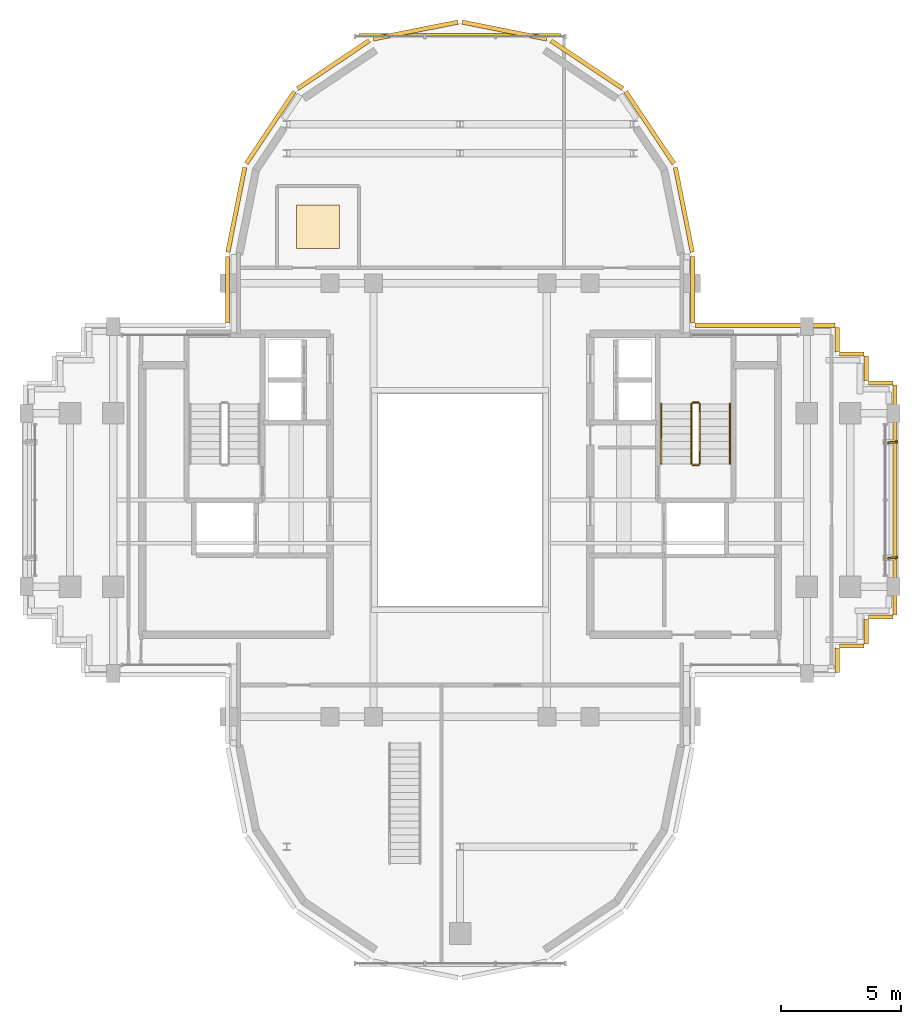
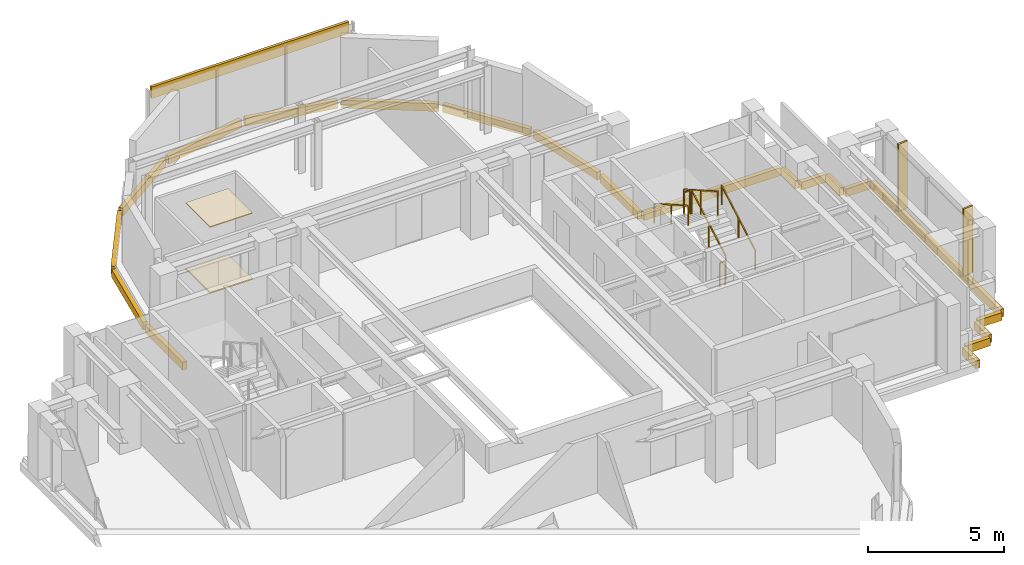
# One storey, part 12 of 12: 23 coverings, 6 railings, 2 shading devices.
"""IFC4 building model written with IfcOpenShell, lengths in metres."""

from ifc_helpers import new_model, si_unit, direction, frame, origin, origin_2d, place, context, subcontext, project, spatial, rectangle, extrude, source, transform, mapped, material, layer, layer_set, type_object, element, save


model = new_model("IFC4")

# Units and contexts
model_context = context("Model", 3, precision=1e-05, world=origin(), true_north=direction((0.0, 1.0)))
body_context = subcontext(model_context, "Body", "Model", "MODEL_VIEW")
ifc_project = project(units=[si_unit("LENGTHUNIT", "METRE"), si_unit("AREAUNIT", "SQUARE_METRE"), si_unit("VOLUMEUNIT", "CUBIC_METRE"), si_unit("PLANEANGLEUNIT", "RADIAN"), si_unit("MASSUNIT", "GRAM", prefix="KILO")], contexts=[model_context])

# Site, building, storey
site_placement = place(None, origin())
site = spatial("IfcSite", under=ifc_project, at=site_placement, CompositionType="ELEMENT")
building_placement = place(site_placement, origin())
building = spatial("IfcBuilding", under=site, at=building_placement, Name="Keilestroom Media Tower", CompositionType="ELEMENT")
storey_placement = place(building_placement, frame((0.0, 0.0, 239.60009765625)))
storey = spatial("IfcBuildingStorey", under=building, at=storey_placement, Name="L66", CompositionType="ELEMENT", Elevation=239.60009765625)

# Railings
ifc_material_1 = material(Name="Brushed Stainless Steel 1.4301", Category="steel")
railing_type_1 = type_object("IfcRailingType", Name="Stair-Pitch-Handrail-920", PredefinedType="HANDRAIL", material=ifc_material_1)
railing_1_placement = place(storey_placement, frame((11.2099609375, 1.5, 0.177734375)))
element("IfcRailing", 1, at=railing_1_placement, inside=storey, type_object=railing_type_1, Name="L66 ST-2 stair handrail 1", PredefinedType="HANDRAIL", context=body_context, shape_type="SweptSolid", body=[
    extrude(rectangle(XDim=0.048095703125, YDim=0.048095703125, at=origin_2d()), frame((0.0, 0.0, 0.8759765625), z_axis=(0.0, 0.868875238982, 0.495031129408), x_axis=(-1.0, 0.0, 0.0)), (0.0, 0.0, 1.0), 2.872802734375),
    extrude(rectangle(XDim=0.0419921875, YDim=0.0419921875, at=origin_2d()), origin(), (0.0, 0.0, 1.0), 0.84375),
    extrude(rectangle(XDim=0.0419921875, YDim=0.0419921875, at=origin_2d()), frame((0.0, 1.248046875, 0.7109375)), (0.0, 0.0, 1.0), 0.84375),
    extrude(rectangle(XDim=0.0419921875, YDim=0.0419921875, at=origin_2d()), frame((0.0, 2.49609375, 1.422119140625)), (0.0, 0.0, 1.0), 0.84375),
])
railing_2_placement = place(storey_placement, frame((8.35009765625, 3.99609375, 1.777587890625)))
element("IfcRailing", 2, at=railing_2_placement, inside=storey, type_object=railing_type_1, Name="L66 ST-2 stair handrail 2", PredefinedType="HANDRAIL", context=body_context, shape_type="SweptSolid", body=[
    extrude(rectangle(XDim=0.048095703125, YDim=0.048095703125, at=origin_2d()), frame((0.0, 0.0, 0.8759765625), z_axis=(0.0, -0.868838684858, 0.495095283449), x_axis=(1.0, 0.0, 0.0)), (0.0, 0.0, 1.0), 2.872802734375),
    extrude(rectangle(XDim=0.0419921875, YDim=0.0419921875, at=origin_2d()), origin(), (0.0, 0.0, 1.0), 0.84375),
    extrude(rectangle(XDim=0.0419921875, YDim=0.0419921875, at=origin_2d()), frame((0.0, -1.248046875, 0.711181640625)), (0.0, 0.0, 1.0), 0.84375),
    extrude(rectangle(XDim=0.0419921875, YDim=0.0419921875, at=origin_2d()), frame((0.0, -2.49609375, 1.42236328125)), (0.0, 0.0, 1.0), 0.84375),
])
ifc_material_2 = material(Name="Painted Steel Balustrade", Category="steel")
railing_type_2 = type_object("IfcRailingType", Name="Stair-Well-And-Landing-Guard-1100", PredefinedType="GUARDRAIL", material=ifc_material_2)
railing_3_placement = place(storey_placement, frame((9.949951171875, 1.5, 0.177734375)))
element("IfcRailing", 3, at=railing_3_placement, inside=storey, type_object=railing_type_2, Name="L66 ST-2 stair guard 1", PredefinedType="GUARDRAIL", context=body_context, shape_type="SweptSolid", body=[
    extrude(rectangle(XDim=0.048095703125, YDim=0.048095703125, at=origin_2d()), frame((0.0, 0.0, 1.076171875), z_axis=(0.0, 0.868875238982, 0.495031129408), x_axis=(-1.0, 0.0, 0.0)), (0.0, 0.0, 1.0), 2.872802734375),
    extrude(rectangle(XDim=0.0419921875, YDim=0.0419921875, at=origin_2d()), origin(), (0.0, 0.0, 1.0), 1.0439453125),
    extrude(rectangle(XDim=0.0419921875, YDim=0.0419921875, at=origin_2d()), frame((0.0, 1.248046875, 0.7109375)), (0.0, 0.0, 1.0), 1.0439453125),
    extrude(rectangle(XDim=0.0419921875, YDim=0.0419921875, at=origin_2d()), frame((0.0, 2.49609375, 1.422119140625)), (0.0, 0.0, 1.0), 1.0439453125),
])
railing_4_placement = place(storey_placement, frame((9.89990234375, 4.0458984375, 1.599853515625)))
element("IfcRailing", 4, at=railing_4_placement, inside=storey, type_object=railing_type_2, Name="L66 ST-2 stair guard 2", PredefinedType="GUARDRAIL", context=body_context, shape_type="SweptSolid", body=[
    extrude(rectangle(XDim=0.048095703125, YDim=0.048095703125, at=origin_2d()), frame((0.0, 0.0, 1.076171875), z_axis=(-1.0, 0.0, 0.0), x_axis=(0.0, -1.0, 0.0)), (0.0, 0.0, 1.0), 0.239990234375),
    extrude(rectangle(XDim=0.0419921875, YDim=0.0419921875, at=origin_2d()), origin(), (0.0, 0.0, 1.0), 1.0439453125),
    extrude(rectangle(XDim=0.0419921875, YDim=0.0419921875, at=origin_2d()), frame((-0.239990234375, 0.0, 0.0)), (0.0, 0.0, 1.0), 1.0439453125),
])
railing_5_placement = place(storey_placement, frame((9.610107421875, 3.99609375, 1.777587890625)))
element("IfcRailing", 5, at=railing_5_placement, inside=storey, type_object=railing_type_2, Name="L66 ST-2 stair guard 3", PredefinedType="GUARDRAIL", context=body_context, shape_type="SweptSolid", body=[
    extrude(rectangle(XDim=0.048095703125, YDim=0.048095703125, at=origin_2d()), frame((0.0, 0.0, 1.076171875), z_axis=(0.0, -0.868838684858, 0.495095283449), x_axis=(1.0, 0.0, 0.0)), (0.0, 0.0, 1.0), 2.872802734375),
    extrude(rectangle(XDim=0.0419921875, YDim=0.0419921875, at=origin_2d()), origin(), (0.0, 0.0, 1.0), 1.0439453125),
    extrude(rectangle(XDim=0.0419921875, YDim=0.0419921875, at=origin_2d()), frame((0.0, -1.248046875, 0.711181640625)), (0.0, 0.0, 1.0), 1.0439453125),
    extrude(rectangle(XDim=0.0419921875, YDim=0.0419921875, at=origin_2d()), frame((0.0, -2.49609375, 1.42236328125)), (0.0, 0.0, 1.0), 1.0439453125),
])
railing_6_placement = place(storey_placement, frame((9.89990234375, 1.449951171875, 0.0)))
element("IfcRailing", 6, at=railing_6_placement, inside=storey, type_object=railing_type_2, Name="L66 ST-2 stair guard 4", PredefinedType="GUARDRAIL", context=body_context, shape_type="SweptSolid", body=[
    extrude(rectangle(XDim=0.048095703125, YDim=0.048095703125, at=origin_2d()), frame((0.0, 0.0, 1.076171875), z_axis=(-1.0, 0.0, 0.0), x_axis=(0.0, -1.0, 0.0)), (0.0, 0.0, 1.0), 0.239990234375),
    extrude(rectangle(XDim=0.0419921875, YDim=0.0419921875, at=origin_2d()), origin(), (0.0, 0.0, 1.0), 1.0439453125),
    extrude(rectangle(XDim=0.0419921875, YDim=0.0419921875, at=origin_2d()), frame((-0.239990234375, 0.0, 0.0)), (0.0, 0.0, 1.0), 1.0439453125),
])

# Covering
ifc_material_3 = material(Name="Precast concrete C40/50", Category="concrete")
ifc_layer_1 = layer(ifc_material_3, 0.1201171875)
ifc_layer_set_1 = layer_set([ifc_layer_1], Name="Precast concrete C40/50")
covering_type_1 = type_object("IfcCoveringType", Name="Exterior-Precast-Spandrel-Cladding-Panel-120", PredefinedType="CLADDING", material=ifc_layer_set_1)
shared_shape_1 = source(origin(), body_context, "Body", "SweptSolid", [
    extrude(rectangle(XDim=8.39990234375, YDim=0.1201171875, at=origin_2d()), origin(), (0.0, 0.0, 1.0), 0.52001953125),
])
covering_1_placement = place(storey_placement, frame((0.0, 19.320068359375, 2.5), z_axis=(0.0, 0.0, 1.0), x_axis=(1.0, 0.0, 0.0)))
element("IfcCovering", 7, at=covering_1_placement, inside=storey, type_object=covering_type_1, Name="L66 Precast Spandrel Cladding N", PredefinedType="CLADDING", context=body_context, shape_type="MappedRepresentation", body=[
    mapped(shared_shape_1, transform((0.0, 0.0, 0.0), x_axis=(1.0, 0.0, 0.0), y_axis=(0.0, 1.0, 0.0), z_axis=(0.0, 0.0, 1.0), scale=1.0)),
])

# Shading devices
ifc_material_4 = material(Name="Bronze Anodised Aluminium", Category="aluminium")
shading_device_type = type_object("IfcShadingDeviceType", Name="Facade-Vertical-Sunshade-Fin-SHD-1", PredefinedType="USERDEFINED", material=ifc_material_4)
shared_shape_2 = source(origin(), body_context, "Body", "SweptSolid", [
    extrude(rectangle(XDim=0.419921875, YDim=0.080078125, at=origin_2d()), origin(), (0.0, 0.0, 1.0), 3.010009765625),
])
for number, where, z_axis, x_axis, name in (
    (8, (17.969970703125, -2.39990234375, 0.0), (0.0, 0.0, 1.0), (0.996194698092, 0.087155742748, 0.0), "L66 Twisting Sunshade Fin SHD-1 103"),
    (9, (17.969970703125, 2.39990234375, 0.0), (0.0, 0.0, 1.0), (0.996194698092, 0.087155742748, 0.0), "L66 Twisting Sunshade Fin SHD-1 104"),
):
    element("IfcShadingDevice", number, at=place(storey_placement, frame(where, z_axis=z_axis, x_axis=x_axis)), inside=storey, type_object=shading_device_type, Name=name, ObjectType="SUNSHADE", PredefinedType="USERDEFINED", context=body_context, shape_type="MappedRepresentation", body=[
        mapped(shared_shape_2, transform((0.0, 0.0, 0.0), x_axis=(1.0, 0.0, 0.0), y_axis=(0.0, 1.0, 0.0), z_axis=(0.0, 0.0, 1.0), scale=1.0)),
    ])

# Coverings
shared_shape_3 = source(origin(), body_context, "Body", "SweptSolid", [
    extrude(rectangle(XDim=1.02001953125, YDim=0.179931640625, at=origin_2d()), origin(), (0.0, 0.0, 1.0), 0.35009765625),
])
for number, where, z_axis, x_axis, name in (
    (10, (17.4599609375, -4.860107421875, -0.530029296875), (0.0, 0.0, 1.0), (-1.0, 0.0, 0.0), "L66 Precast Slab-Edge Fascia Cornice 01"),
    (11, (16.860107421875, -5.4599609375, -0.530029296875), (0.0, 0.0, 1.0), (0.0, -1.0, 0.0), "L66 Precast Slab-Edge Fascia Cornice 02"),
    (12, (16.260009765625, -6.06005859375, -0.530029296875), (0.0, 0.0, 1.0), (-1.0, 0.0, 0.0), "L66 Precast Slab-Edge Fascia Cornice 03"),
    (13, (15.659912109375, -6.659912109375, -0.530029296875), (0.0, 0.0, 1.0), (0.0, -1.0, 0.0), "L66 Precast Slab-Edge Fascia Cornice 04"),
    (14, (15.659912109375, 6.659912109375, -0.530029296875), (0.0, 0.0, 1.0), (0.0, -1.0, 0.0), "L66 Precast Slab-Edge Fascia Cornice 38"),
    (15, (16.260009765625, 6.06005859375, -0.530029296875), (0.0, 0.0, 1.0), (1.0, 0.0, 0.0), "L66 Precast Slab-Edge Fascia Cornice 39"),
    (16, (16.860107421875, 5.4599609375, -0.530029296875), (0.0, 0.0, 1.0), (0.0, -1.0, 0.0), "L66 Precast Slab-Edge Fascia Cornice 40"),
    (17, (17.4599609375, 4.860107421875, -0.530029296875), (0.0, 0.0, 1.0), (1.0, 0.0, 0.0), "L66 Precast Slab-Edge Fascia Cornice 41"),
):
    element("IfcCovering", number, at=place(storey_placement, frame(where, z_axis=z_axis, x_axis=x_axis)), inside=storey, type_object=covering_type_1, Name=name, PredefinedType="CLADDING", context=body_context, shape_type="MappedRepresentation", body=[
        mapped(shared_shape_3, transform((0.0, 0.0, 0.0), x_axis=(1.0, 0.0, 0.0), y_axis=(0.0, 1.0, 0.0), z_axis=(0.0, 0.0, 1.0), scale=1.0)),
    ])
shared_shape_4 = source(origin(), body_context, "Body", "SweptSolid", [
    extrude(rectangle(XDim=5.820068359375, YDim=0.179931640625, at=origin_2d()), origin(), (0.0, 0.0, 1.0), 0.35009765625),
])
covering_2_placement = place(storey_placement, frame((12.659912109375, 7.260009765625, -0.530029296875), z_axis=(0.0, 0.0, 1.0), x_axis=(1.0, 0.0, 0.0)))
element("IfcCovering", 18, at=covering_2_placement, inside=storey, type_object=covering_type_1, Name="L66 Precast Slab-Edge Fascia Cornice 37", PredefinedType="CLADDING", context=body_context, shape_type="MappedRepresentation", body=[
    mapped(shared_shape_4, transform((0.0, 0.0, 0.0), x_axis=(1.0, 0.0, 0.0), y_axis=(0.0, 1.0, 0.0), z_axis=(0.0, 0.0, 1.0), scale=1.0)),
])
shared_shape_5 = source(origin(), body_context, "Body", "SweptSolid", [
    extrude(rectangle(XDim=2.765869140625, YDim=0.179931640625, at=origin_2d()), origin(), (0.0, 0.0, 1.0), 0.35009765625),
])
for number, where, z_axis, x_axis, name in (
    (19, (-9.659912109375, 8.73291015625, -0.530029296875), (0.0, 0.0, 1.0), (0.0, 1.0, 0.0), "L66 Precast Slab-Edge Fascia Cornice 27"),
    (20, (9.659912109375, 8.73291015625, -0.530029296875), (0.0, 0.0, 1.0), (0.0, -1.0, 0.0), "L66 Precast Slab-Edge Fascia Cornice 36"),
):
    element("IfcCovering", number, at=place(storey_placement, frame(where, z_axis=z_axis, x_axis=x_axis)), inside=storey, type_object=covering_type_1, Name=name, PredefinedType="CLADDING", context=body_context, shape_type="MappedRepresentation", body=[
        mapped(shared_shape_5, transform((0.0, 0.0, 0.0), x_axis=(1.0, 0.0, 0.0), y_axis=(0.0, 1.0, 0.0), z_axis=(0.0, 0.0, 1.0), scale=1.0)),
    ])
shared_shape_6 = source(origin(), body_context, "Body", "SweptSolid", [
    extrude(rectangle(XDim=3.58349609375, YDim=0.179931640625, at=origin_2d()), origin(), (0.0, 0.0, 1.0), 0.35009765625),
])
for number, where, z_axis, x_axis, name in (
    (21, (-9.29296875, 12.051513671875, -0.530029296875), (0.0, 0.0, 1.0), (0.195098880975, 0.980783577882, 0.0), "L66 Precast Slab-Edge Fascia Cornice 28"),
    (22, (9.29296875, 12.051513671875, -0.530029296875), (0.0, 0.0, 1.0), (0.195098880975, -0.980783577882, 0.0), "L66 Precast Slab-Edge Fascia Cornice 35"),
):
    element("IfcCovering", number, at=place(storey_placement, frame(where, z_axis=z_axis, x_axis=x_axis)), inside=storey, type_object=covering_type_1, Name=name, PredefinedType="CLADDING", context=body_context, shape_type="MappedRepresentation", body=[
        mapped(shared_shape_6, transform((0.0, 0.0, 0.0), x_axis=(1.0, 0.0, 0.0), y_axis=(0.0, 1.0, 0.0), z_axis=(0.0, 0.0, 1.0), scale=1.0)),
    ])
shared_shape_7 = source(origin(), body_context, "Body", "SweptSolid", [
    extrude(rectangle(XDim=3.589599609375, YDim=0.179931640625, at=origin_2d()), origin(), (0.0, 0.0, 1.0), 0.35009765625),
])
for number, where, z_axis, x_axis, name in (
    (23, (-7.878662109375, 15.46435546875, -0.530029296875), (0.0, 0.0, 1.0), (0.555574586577, 0.831466703332, 0.0), "L66 Precast Slab-Edge Fascia Cornice 29"),
    (24, (-5.264404296875, 18.07861328125, -0.530029296875), (0.0, 0.0, 1.0), (0.831466703332, 0.555574586577, 0.0), "L66 Precast Slab-Edge Fascia Cornice 30"),
    (25, (-1.8486328125, 19.493408203125, -0.530029296875), (0.0, 0.0, 1.0), (0.980783577882, 0.195098880975, 0.0), "L66 Precast Slab-Edge Fascia Cornice 31"),
    (26, (1.8486328125, 19.493408203125, -0.530029296875), (0.0, 0.0, 1.0), (0.980783577882, -0.195098880975, 0.0), "L66 Precast Slab-Edge Fascia Cornice 32"),
    (27, (5.264404296875, 18.07861328125, -0.530029296875), (0.0, 0.0, 1.0), (0.831466703332, -0.555574586577, 0.0), "L66 Precast Slab-Edge Fascia Cornice 33"),
    (28, (7.878662109375, 15.46435546875, -0.530029296875), (0.0, 0.0, 1.0), (0.555574586577, -0.831466703332, 0.0), "L66 Precast Slab-Edge Fascia Cornice 34"),
):
    element("IfcCovering", number, at=place(storey_placement, frame(where, z_axis=z_axis, x_axis=x_axis)), inside=storey, type_object=covering_type_1, Name=name, PredefinedType="CLADDING", context=body_context, shape_type="MappedRepresentation", body=[
        mapped(shared_shape_7, transform((0.0, 0.0, 0.0), x_axis=(1.0, 0.0, 0.0), y_axis=(0.0, 1.0, 0.0), z_axis=(0.0, 0.0, 1.0), scale=1.0)),
    ])
shared_shape_8 = source(origin(), body_context, "Body", "SweptSolid", [
    extrude(rectangle(XDim=9.5400390625, YDim=0.179931640625, at=origin_2d()), origin(), (0.0, 0.0, 1.0), 0.35009765625),
])
covering_3_placement = place(storey_placement, frame((18.06005859375, 0.0, -0.530029296875), z_axis=(0.0, 0.0, 1.0), x_axis=(0.0, -1.0, 0.0)))
element("IfcCovering", 29, at=covering_3_placement, inside=storey, type_object=covering_type_1, Name="L66 Precast Slab-Edge Fascia Cornice 42", PredefinedType="CLADDING", context=body_context, shape_type="MappedRepresentation", body=[
    mapped(shared_shape_8, transform((0.0, 0.0, 0.0), x_axis=(1.0, 0.0, 0.0), y_axis=(0.0, 1.0, 0.0), z_axis=(0.0, 0.0, 1.0), scale=1.0)),
])
ifc_material_5 = material(Name="Mineral-Fibre Acoustic Ceiling Tile", Category="gypsum")
ifc_layer_2 = layer(ifc_material_5, 0.0400390625)
ifc_layer_set_2 = layer_set([ifc_layer_2], Name="Mineral-Fibre Acoustic Ceiling Tile")
covering_type_2 = type_object("IfcCoveringType", Name="Suspended-Acoustic-Ceiling-40", PredefinedType="CEILING", material=ifc_layer_set_2)
shared_shape_9 = source(origin(), body_context, "Body", "SweptSolid", [
    extrude(rectangle(XDim=1.800048828125, YDim=1.800048828125, at=origin_2d()), origin(), (0.0, 0.0, 1.0), 0.0400390625),
])
covering_4_placement = place(storey_placement, frame((-5.89990234375, 11.340087890625, 2.969970703125), z_axis=(0.0, 0.0, 1.0), x_axis=(1.0, 0.0, 0.0)))
element("IfcCovering", 30, at=covering_4_placement, inside=storey, type_object=covering_type_2, Name="L66 Suspended Acoustic Ceiling 1", PredefinedType="CEILING", context=body_context, shape_type="MappedRepresentation", body=[
    mapped(shared_shape_9, transform((0.0, 0.0, 0.0), x_axis=(1.0, 0.0, 0.0), y_axis=(0.0, 1.0, 0.0), z_axis=(0.0, 0.0, 1.0), scale=1.0)),
])
ifc_material_6 = material(Name="Calcium-Sulphate Raised Access Floor", Category="concrete")
ifc_layer_3 = layer(ifc_material_6, 0.06005859375)
ifc_layer_set_3 = layer_set([ifc_layer_3], Name="Calcium-Sulphate Raised Access Floor")
covering_type_3 = type_object("IfcCoveringType", Name="Raised-Access-And-Acoustic-Flooring-60", PredefinedType="FLOORING", material=ifc_layer_set_3)
shared_shape_10 = source(origin(), body_context, "Body", "SweptSolid", [
    extrude(rectangle(XDim=1.800048828125, YDim=1.800048828125, at=origin_2d()), origin(), (0.0, 0.0, 1.0), 0.06005859375),
])
covering_5_placement = place(storey_placement, frame((-5.89990234375, 11.340087890625, -0.000244140625), z_axis=(0.0, 0.0, 1.0), x_axis=(1.0, 0.0, 0.0)))
element("IfcCovering", 31, at=covering_5_placement, inside=storey, type_object=covering_type_3, Name="L66 Raised Access Flooring 1", PredefinedType="FLOORING", context=body_context, shape_type="MappedRepresentation", body=[
    mapped(shared_shape_10, transform((0.0, 0.0, 0.0), x_axis=(1.0, 0.0, 0.0), y_axis=(0.0, 1.0, 0.0), z_axis=(0.0, 0.0, 1.0), scale=1.0)),
])

save(model, "model.ifc")
